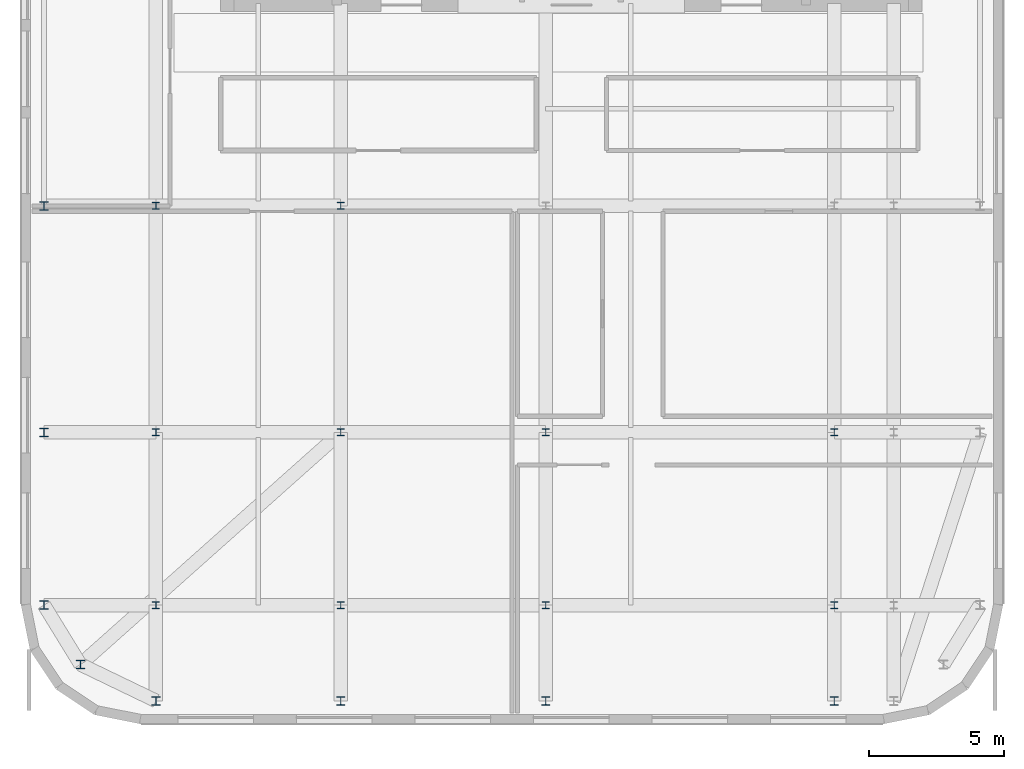
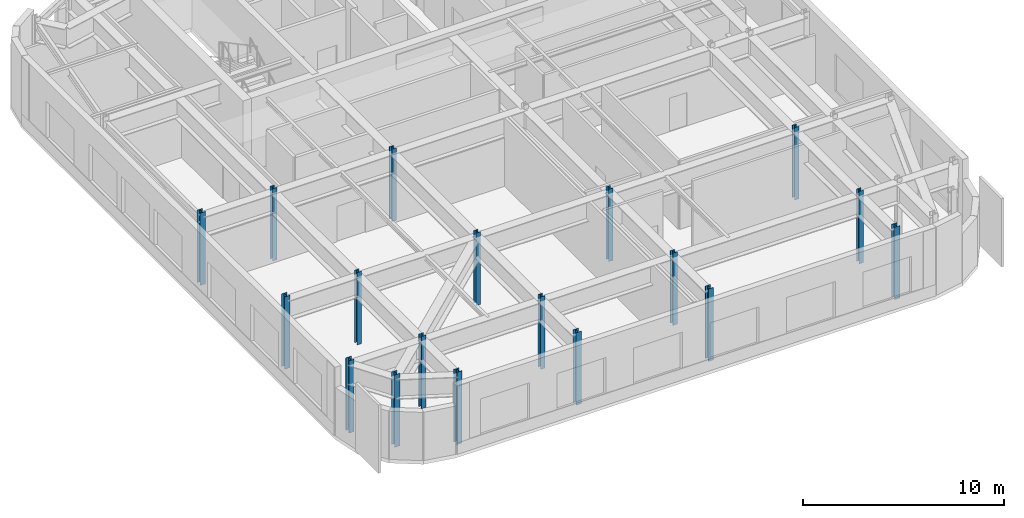
# One storey, part 1 of 13: 18 columns.
"""IFC4 building model written with IfcOpenShell, lengths in metres."""

from ifc_helpers import new_model, si_unit, direction, frame, origin, origin_2d, place, context, subcontext, project, spatial, i_section, extrude, source, transform, mapped, material, material_profile, profile_set, type_object, type_shapes, element, save


model = new_model("IFC4")

# Units and contexts
model_context = context("Model", 3, precision=1e-05, world=origin(), true_north=direction((0.0, 1.0)))
body_context = subcontext(model_context, "Body", "Model", "MODEL_VIEW")
ifc_project = project(units=[si_unit("LENGTHUNIT", "METRE"), si_unit("AREAUNIT", "SQUARE_METRE"), si_unit("VOLUMEUNIT", "CUBIC_METRE"), si_unit("PLANEANGLEUNIT", "RADIAN"), si_unit("MASSUNIT", "GRAM", prefix="KILO")], contexts=[model_context])

# Site, building, storey
site_placement = place(None, origin())
site = spatial("IfcSite", under=ifc_project, at=site_placement, CompositionType="ELEMENT")
building_placement = place(site_placement, origin())
building = spatial("IfcBuilding", under=site, at=building_placement, Name="Tolvann Quenvar Hotel", CompositionType="ELEMENT")
storey_placement = place(building_placement, frame((0.0, 0.0, 286.550048828125)))
storey = spatial("IfcBuildingStorey", under=building, at=storey_placement, Name="L76", CompositionType="ELEMENT", Elevation=286.550048828125)

# Columns
ifc_material = material(Name="Steel Grade 350", Category="steel")
ifc_material_profile_1 = material_profile(ifc_material, i_section(OverallWidth=0.306884765625, OverallDepth=0.31494140625, WebThickness=0.011962890625, FlangeThickness=0.018798828125, FilletRadius=0.0166015625, at=origin_2d()), Name="310UC118")
ifc_profile_set_1 = profile_set([ifc_material_profile_1], Name="Steel Grade 350")
column_type_1 = type_object("IfcColumnType", Name="COL_310UC118", PredefinedType="COLUMN", material=ifc_profile_set_1)
shared_shape_1 = source(origin(), body_context, "Body", "SweptSolid", [
    extrude(i_section(OverallWidth=0.306884765625, OverallDepth=0.31494140625, WebThickness=0.011962890625, FlangeThickness=0.018798828125, FilletRadius=0.0166015625, at=origin_2d()), origin(), (0.0, 0.0, 1.0), 4.39990234375),
])
type_shapes(column_type_1, [shared_shape_1])
for number, where, z_axis, x_axis, name in (
    (1, (4.800048828125, 7.39990234375, 0.0), (0.0, 0.0, 1.0), (1.0, 0.0, 0.0), "Column B2 (L76)"),
    (2, (3.449951171875, 9.60009765625, 0.0), (0.0, 0.0, 1.0), (1.0, 0.0, 0.0), "Column B3 (L76)"),
    (3, (3.449951171875, 16.0, 0.0), (0.0, 0.0, 1.0), (1.0, 0.0, 0.0), "Column B4 (L76)"),
    (4, (3.449951171875, 24.39990234375, 0.0), (0.0, 0.0, 1.0), (1.0, 0.0, 0.0), "Column B5 (L76)"),
    (5, (7.60009765625, 6.050048828125, 0.0), (0.0, 0.0, 1.0), (1.0, 0.0, 0.0), "Column C2 (L76)"),
    (6, (14.449951171875, 6.050048828125, 0.0), (0.0, 0.0, 1.0), (1.0, 0.0, 0.0), "Column D2 (L76)"),
    (7, (22.050048828125, 6.050048828125, 0.0), (0.0, 0.0, 1.0), (1.0, 0.0, 0.0), "Column E2 (L76)"),
    (8, (32.75, 6.050048828125, 0.0), (0.0, 0.0, 1.0), (1.0, 0.0, 0.0), "Column FP2 (L76)"),
):
    element("IfcColumn", number, at=place(storey_placement, frame(where, z_axis=z_axis, x_axis=x_axis)), inside=storey, type_object=column_type_1, Name=name, PredefinedType="COLUMN", context=body_context, shape_type="MappedRepresentation", body=[
        mapped(shared_shape_1, transform((0.0, 0.0, 0.0), x_axis=(1.0, 0.0, 0.0), y_axis=(0.0, 1.0, 0.0), z_axis=(0.0, 0.0, 1.0), scale=1.0)),
    ])
ifc_material_profile_2 = material_profile(ifc_material, i_section(OverallWidth=0.256103515625, OverallDepth=0.260009765625, WebThickness=0.010498046875, FlangeThickness=0.017333984375, FilletRadius=0.013916015625, at=origin_2d()), Name="250UC90")
ifc_profile_set_2 = profile_set([ifc_material_profile_2], Name="Steel Grade 350")
column_type_2 = type_object("IfcColumnType", Name="COL_250UC90", PredefinedType="COLUMN", material=ifc_profile_set_2)
shared_shape_2 = source(origin(), body_context, "Body", "SweptSolid", [
    extrude(i_section(OverallWidth=0.256103515625, OverallDepth=0.260009765625, WebThickness=0.010498046875, FlangeThickness=0.017333984375, FilletRadius=0.013916015625, at=origin_2d()), origin(), (0.0, 0.0, 1.0), 4.39990234375),
])
type_shapes(column_type_2, [shared_shape_2])
for number, where, z_axis, x_axis, name in (
    (9, (7.60009765625, 9.60009765625, 0.0), (0.0, 0.0, 1.0), (1.0, 0.0, 0.0), "Column C3 (L76)"),
    (10, (7.60009765625, 16.0, 0.0), (0.0, 0.0, 1.0), (1.0, 0.0, 0.0), "Column C4 (L76)"),
    (11, (7.60009765625, 24.39990234375, 0.0), (0.0, 0.0, 1.0), (1.0, 0.0, 0.0), "Column C5 (L76)"),
    (12, (14.449951171875, 9.60009765625, 0.0), (0.0, 0.0, 1.0), (1.0, 0.0, 0.0), "Column D3 (L76)"),
    (13, (14.449951171875, 16.0, 0.0), (0.0, 0.0, 1.0), (1.0, 0.0, 0.0), "Column D4 (L76)"),
    (14, (14.449951171875, 24.39990234375, 0.0), (0.0, 0.0, 1.0), (1.0, 0.0, 0.0), "Column D5 (L76)"),
    (15, (22.050048828125, 9.60009765625, 0.0), (0.0, 0.0, 1.0), (1.0, 0.0, 0.0), "Column E3 (L76)"),
    (16, (22.050048828125, 16.0, 0.0), (0.0, 0.0, 1.0), (1.0, 0.0, 0.0), "Column E4 (L76)"),
    (17, (32.75, 9.60009765625, 0.0), (0.0, 0.0, 1.0), (1.0, 0.0, 0.0), "Column FP3 (L76)"),
    (18, (32.75, 16.0, 0.0), (0.0, 0.0, 1.0), (1.0, 0.0, 0.0), "Column FP4 (L76)"),
):
    element("IfcColumn", number, at=place(storey_placement, frame(where, z_axis=z_axis, x_axis=x_axis)), inside=storey, type_object=column_type_2, Name=name, PredefinedType="COLUMN", context=body_context, shape_type="MappedRepresentation", body=[
        mapped(shared_shape_2, transform((0.0, 0.0, 0.0), x_axis=(1.0, 0.0, 0.0), y_axis=(0.0, 1.0, 0.0), z_axis=(0.0, 0.0, 1.0), scale=1.0)),
    ])

save(model, "model.ifc")
